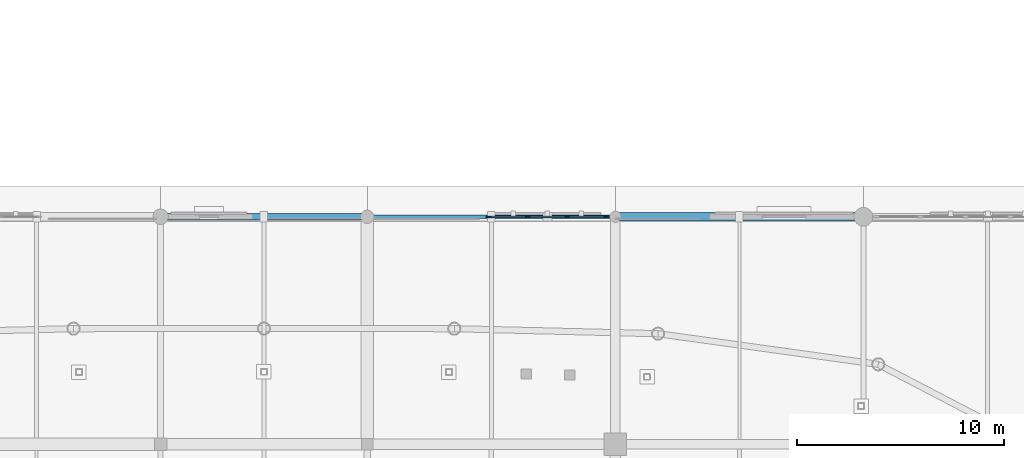
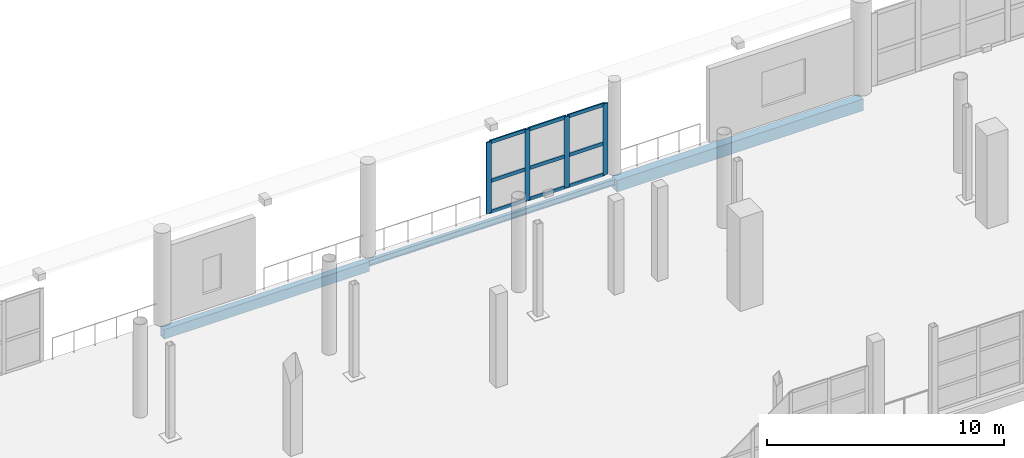
# One storey, part 53 of 143: 13 members, 3 beams, 1 element without a shape of its own.
"""IFC4 building model written with IfcOpenShell, lengths in metres."""

from ifc_helpers import new_model, si_unit, direction, frame, origin, origin_2d, place, context, subcontext, project, spatial, rectangle, hollow_rectangle, i_section, extrude, material, material_profile, profile_set, type_object, element, aggregate, save


model = new_model("IFC4")

# Units and contexts
model_context = context("Model", 3, precision=1e-05, world=origin(), true_north=direction((0.0, 1.0)))
body_context = subcontext(model_context, "Body", "Model", "MODEL_VIEW")
ifc_project = project(units=[si_unit("LENGTHUNIT", "METRE"), si_unit("AREAUNIT", "SQUARE_METRE"), si_unit("VOLUMEUNIT", "CUBIC_METRE"), si_unit("PLANEANGLEUNIT", "RADIAN"), si_unit("MASSUNIT", "GRAM", prefix="KILO")], contexts=[model_context])

# Site, building, storey
site_placement = place(None, origin())
site = spatial("IfcSite", under=ifc_project, at=site_placement, CompositionType="ELEMENT")
building_placement = place(site_placement, origin())
building = spatial("IfcBuilding", under=site, at=building_placement, Name="Luwafu Chhajja Arena", CompositionType="ELEMENT")
storey_placement = place(building_placement, frame((0.0, 0.0, 5.39990234375)))
storey = spatial("IfcBuildingStorey", under=building, at=storey_placement, Name="L01", CompositionType="ELEMENT", Elevation=5.39990234375)

# Curtain wall, members
ifc_material_1 = material(Name="Anodised bronze aluminium", Category="aluminium")
curtain_wall_type = type_object("IfcCurtainWallType", Name="Warm-Up Gallery Curtain Wall", PredefinedType="USERDEFINED", material=ifc_material_1)
curtain_wall_placement = place(storey_placement, origin())
curtain_wall = element("IfcCurtainWall", 1, at=curtain_wall_placement, inside=storey, type_object=curtain_wall_type, Name="L01 Curtain Wall CWG-L01-H09_09", ObjectType="CURTAIN WALL", PredefinedType="USERDEFINED")
ifc_material_profile_1 = material_profile(ifc_material_1, rectangle(XDim=0.070068359375, YDim=0.239990234375, at=origin_2d()), Name="CWM 70x240")
ifc_profile_set_1 = profile_set([ifc_material_profile_1], Name="Anodised bronze aluminium")
member_type_1 = type_object("IfcMemberType", Name="Bronze Curtain Wall Mullion 70x240", PredefinedType="MULLION", material=ifc_profile_set_1)
member_1_placement = place(storey_placement, frame((109.8779296875, 99.0, 0.030029296875), z_axis=(0.0, 0.0, 1.0), x_axis=(0.0, 1.0, 0.0)))
member_1 = element("IfcMember", 2, at=member_1_placement, type_object=member_type_1, Name="CW-08 mullion 1", PredefinedType="MULLION", context=body_context, shape_type="SweptSolid", body=[
    extrude(rectangle(XDim=0.070068359375, YDim=0.239990234375, at=origin_2d()), origin(), (0.0, 0.0, 1.0), 3.66015625),
])
member_2_placement = place(storey_placement, frame((111.7568359375, 99.0, 0.030029296875), z_axis=(0.0, 0.0, 1.0), x_axis=(0.0, 1.0, 0.0)))
member_2 = element("IfcMember", 3, at=member_2_placement, type_object=member_type_1, Name="CW-08 mullion 2", PredefinedType="MULLION", context=body_context, shape_type="SweptSolid", body=[
    extrude(rectangle(XDim=0.070068359375, YDim=0.239990234375, at=origin_2d()), origin(), (0.0, 0.0, 1.0), 3.66015625),
])
member_3_placement = place(storey_placement, frame((113.6708984375, 99.0, 0.030029296875), z_axis=(0.0, 0.0, 1.0), x_axis=(0.0, 1.0, 0.0)))
member_3 = element("IfcMember", 4, at=member_3_placement, type_object=member_type_1, Name="CW-08 mullion 3", PredefinedType="MULLION", context=body_context, shape_type="SweptSolid", body=[
    extrude(rectangle(XDim=0.070068359375, YDim=0.239990234375, at=origin_2d()), origin(), (0.0, 0.0, 1.0), 3.66015625),
])
member_4_placement = place(storey_placement, frame((115.550048828125, 99.0, 0.030029296875), z_axis=(0.0, 0.0, 1.0), x_axis=(0.0, 1.0, 0.0)))
member_4 = element("IfcMember", 5, at=member_4_placement, type_object=member_type_1, Name="CW-08 mullion 4", PredefinedType="MULLION", context=body_context, shape_type="SweptSolid", body=[
    extrude(rectangle(XDim=0.070068359375, YDim=0.239990234375, at=origin_2d()), origin(), (0.0, 0.0, 1.0), 3.66015625),
])
ifc_material_profile_2 = material_profile(ifc_material_1, rectangle(XDim=0.070068359375, YDim=0.179931640625, at=origin_2d()), Name="CWT 70x180")
ifc_profile_set_2 = profile_set([ifc_material_profile_2], Name="Anodised bronze aluminium")
member_type_2 = type_object("IfcMemberType", Name="Bronze Curtain Wall Transom 70x180", PredefinedType="USERDEFINED", material=ifc_profile_set_2)
member_5_placement = place(storey_placement, frame((109.912841796875, 99.0, 0.065185546875), z_axis=(1.0, 0.0, 0.0), x_axis=(0.0, 1.0, 0.0)))
member_5 = element("IfcMember", 6, at=member_5_placement, type_object=member_type_2, Name="CW-08 transom 1.1", ObjectType="TRANSOM", PredefinedType="USERDEFINED", context=body_context, shape_type="SweptSolid", body=[
    extrude(rectangle(XDim=0.070068359375, YDim=0.179931640625, at=origin_2d()), origin(), (0.0, 0.0, 1.0), 1.80908203125),
])
member_6_placement = place(storey_placement, frame((109.912841796875, 99.0, 1.66064453125), z_axis=(1.0, 0.0, 0.0), x_axis=(0.0, 1.0, 0.0)))
member_6 = element("IfcMember", 7, at=member_6_placement, type_object=member_type_2, Name="CW-08 transom 1.2", ObjectType="TRANSOM", PredefinedType="USERDEFINED", context=body_context, shape_type="SweptSolid", body=[
    extrude(rectangle(XDim=0.070068359375, YDim=0.179931640625, at=origin_2d()), origin(), (0.0, 0.0, 1.0), 1.80908203125),
])
member_7_placement = place(storey_placement, frame((109.912841796875, 99.0, 3.655029296875), z_axis=(1.0, 0.0, 0.0), x_axis=(0.0, 1.0, 0.0)))
member_7 = element("IfcMember", 8, at=member_7_placement, type_object=member_type_2, Name="CW-08 transom 1.3", ObjectType="TRANSOM", PredefinedType="USERDEFINED", context=body_context, shape_type="SweptSolid", body=[
    extrude(rectangle(XDim=0.070068359375, YDim=0.179931640625, at=origin_2d()), origin(), (0.0, 0.0, 1.0), 1.80908203125),
])
member_8_placement = place(storey_placement, frame((111.7919921875, 99.0, 0.065185546875), z_axis=(1.0, 0.0, 0.0), x_axis=(0.0, 1.0, 0.0)))
member_8 = element("IfcMember", 9, at=member_8_placement, type_object=member_type_2, Name="CW-08 transom 2.1", ObjectType="TRANSOM", PredefinedType="USERDEFINED", context=body_context, shape_type="SweptSolid", body=[
    extrude(rectangle(XDim=0.070068359375, YDim=0.179931640625, at=origin_2d()), origin(), (0.0, 0.0, 1.0), 1.843994140625),
])
member_9_placement = place(storey_placement, frame((111.7919921875, 99.0, 1.66064453125), z_axis=(1.0, 0.0, 0.0), x_axis=(0.0, 1.0, 0.0)))
member_9 = element("IfcMember", 10, at=member_9_placement, type_object=member_type_2, Name="CW-08 transom 2.2", ObjectType="TRANSOM", PredefinedType="USERDEFINED", context=body_context, shape_type="SweptSolid", body=[
    extrude(rectangle(XDim=0.070068359375, YDim=0.179931640625, at=origin_2d()), origin(), (0.0, 0.0, 1.0), 1.843994140625),
])
member_10_placement = place(storey_placement, frame((111.7919921875, 99.0, 3.655029296875), z_axis=(1.0, 0.0, 0.0), x_axis=(0.0, 1.0, 0.0)))
member_10 = element("IfcMember", 11, at=member_10_placement, type_object=member_type_2, Name="CW-08 transom 2.3", ObjectType="TRANSOM", PredefinedType="USERDEFINED", context=body_context, shape_type="SweptSolid", body=[
    extrude(rectangle(XDim=0.070068359375, YDim=0.179931640625, at=origin_2d()), origin(), (0.0, 0.0, 1.0), 1.843994140625),
])
member_11_placement = place(storey_placement, frame((113.7060546875, 99.0, 0.065185546875), z_axis=(1.0, 0.0, 0.0), x_axis=(0.0, 1.0, 0.0)))
member_11 = element("IfcMember", 12, at=member_11_placement, type_object=member_type_2, Name="CW-08 transom 3.1", ObjectType="TRANSOM", PredefinedType="USERDEFINED", context=body_context, shape_type="SweptSolid", body=[
    extrude(rectangle(XDim=0.070068359375, YDim=0.179931640625, at=origin_2d()), origin(), (0.0, 0.0, 1.0), 1.808837890625),
])
member_12_placement = place(storey_placement, frame((113.7060546875, 99.0, 1.66064453125), z_axis=(1.0, 0.0, 0.0), x_axis=(0.0, 1.0, 0.0)))
member_12 = element("IfcMember", 13, at=member_12_placement, type_object=member_type_2, Name="CW-08 transom 3.2", ObjectType="TRANSOM", PredefinedType="USERDEFINED", context=body_context, shape_type="SweptSolid", body=[
    extrude(rectangle(XDim=0.070068359375, YDim=0.179931640625, at=origin_2d()), origin(), (0.0, 0.0, 1.0), 1.808837890625),
])
member_13_placement = place(storey_placement, frame((113.7060546875, 99.0, 3.655029296875), z_axis=(1.0, 0.0, 0.0), x_axis=(0.0, 1.0, 0.0)))
member_13 = element("IfcMember", 14, at=member_13_placement, type_object=member_type_2, Name="CW-08 transom 3.3", ObjectType="TRANSOM", PredefinedType="USERDEFINED", context=body_context, shape_type="SweptSolid", body=[
    extrude(rectangle(XDim=0.070068359375, YDim=0.179931640625, at=origin_2d()), origin(), (0.0, 0.0, 1.0), 1.808837890625),
])
aggregate(curtain_wall, [member_1, member_2, member_3, member_4, member_5, member_6, member_7, member_8, member_9, member_10, member_11, member_12, member_13])

# Beams
ifc_material_2 = material(Name="Steel S355", Category="steel")
ifc_material_profile_3 = material_profile(ifc_material_2, i_section(OverallWidth=0.165771484375, OverallDepth=0.306640625, WebThickness=0.006591796875, FlangeThickness=0.01171875, at=origin_2d()), Name="UB 305x165x46")
ifc_profile_set_3 = profile_set([ifc_material_profile_3], Name="Steel S355")
beam_type_1 = type_object("IfcBeamType", Name="Concourse Edge Spandrel Beam UB 305x165x46", PredefinedType="SPANDREL", material=ifc_profile_set_3)
beam_1_placement = place(storey_placement, frame((104.0, 99.0, -0.483154296875), z_axis=(1.0, 0.0, 0.0), x_axis=(0.0, 1.0, 0.0)))
element("IfcBeam", 15, at=beam_1_placement, inside=storey, type_object=beam_type_1, Name="L01 Grid Beam 10-11/K", PredefinedType="SPANDREL", context=body_context, shape_type="SweptSolid", body=[
    extrude(i_section(OverallWidth=0.165771484375, OverallDepth=0.306640625, WebThickness=0.006591796875, FlangeThickness=0.01171875, at=origin_2d()), origin(), (0.0, 0.0, 1.0), 12.0),
])
ifc_material_profile_4 = material_profile(ifc_material_2, hollow_rectangle(XDim=0.300048828125, YDim=0.5, WallThickness=0.02001953125, at=origin_2d()), Name="RHS 500x300x20")
ifc_profile_set_4 = profile_set([ifc_material_profile_4], Name="Steel S355")
beam_type_2 = type_object("IfcBeamType", Name="Pleated Drum Spandrel Beam RHS 500x300", PredefinedType="SPANDREL", material=ifc_profile_set_4)
beam_2_placement = place(storey_placement, frame((94.0, 99.0, -0.579833984375), z_axis=(1.0, 0.0, 0.0), x_axis=(0.0, 1.0, 0.0)))
element("IfcBeam", 16, at=beam_2_placement, inside=storey, type_object=beam_type_2, Name="L01 Grid Beam 9-10/K", PredefinedType="SPANDREL", context=body_context, shape_type="SweptSolid", body=[
    extrude(hollow_rectangle(XDim=0.300048828125, YDim=0.5, WallThickness=0.02001953125, at=origin_2d()), origin(), (0.0, 0.0, 1.0), 10.0),
])
ifc_material_3 = material(Name="Concrete C35/45", Category="concrete")
ifc_material_profile_5 = material_profile(ifc_material_3, rectangle(XDim=0.39990234375, YDim=0.60009765625, at=origin_2d()), Name="RC 400x600")
ifc_profile_set_5 = profile_set([ifc_material_profile_5], Name="Concrete C35/45")
beam_type_3 = type_object("IfcBeamType", Name="Podium Perimeter Spandrel RC 400x600", PredefinedType="SPANDREL", material=ifc_profile_set_5)
beam_3_placement = place(storey_placement, frame((116.0, 99.0, -0.6298828125), z_axis=(1.0, 0.0, 0.0), x_axis=(0.0, 1.0, 0.0)))
element("IfcBeam", 17, at=beam_3_placement, inside=storey, type_object=beam_type_3, Name="L01 Grid Beam 11-12/K", PredefinedType="SPANDREL", context=body_context, shape_type="SweptSolid", body=[
    extrude(rectangle(XDim=0.39990234375, YDim=0.60009765625, at=origin_2d()), origin(), (0.0, 0.0, 1.0), 12.0),
])

save(model, "model.ifc")
